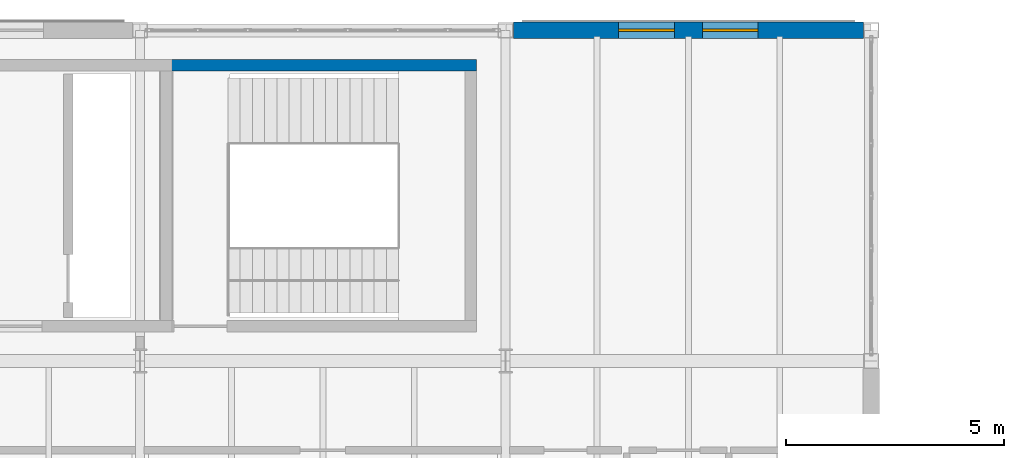
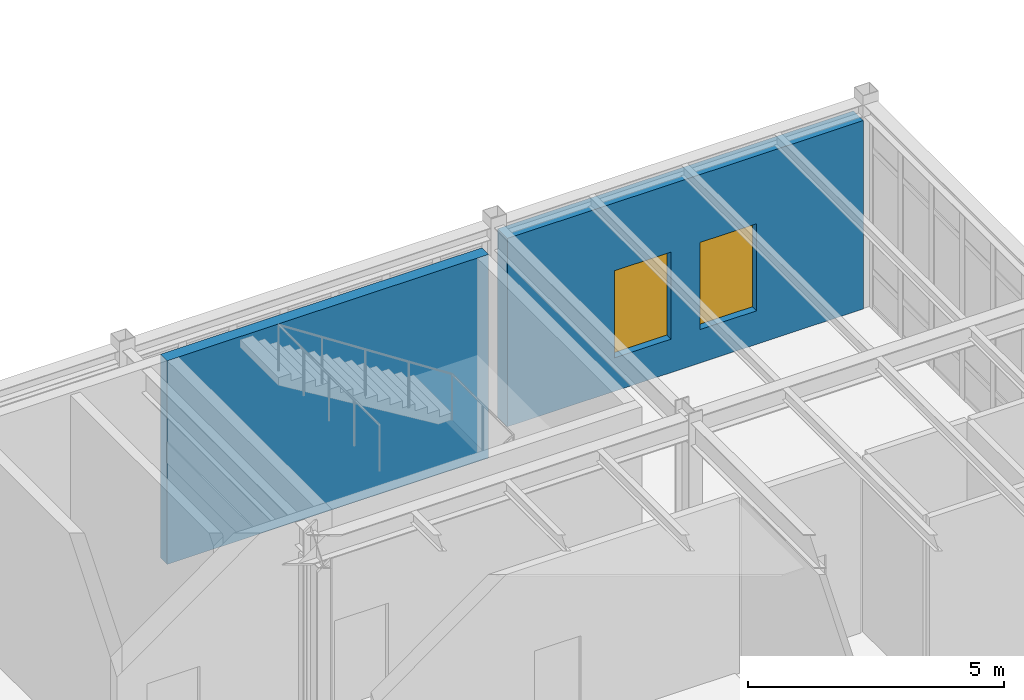
# One storey, part 90 of 109: 2 walls, 2 windows, 2 openings.
"""IFC4 building model written with IfcOpenShell, lengths in metres."""

from ifc_helpers import new_model, si_unit, direction, frame, frame_2d, origin, place, context, subcontext, project, spatial, rectangle, extrude, material, layer, layer_set, type_object, element, fill, save


model = new_model("IFC4")

# Units and contexts
model_context = context("Model", 3, precision=1e-05, world=origin(), true_north=direction((0.0, 1.0)))
body_context = subcontext(model_context, "Body", "Model", "MODEL_VIEW")
ifc_project = project(units=[si_unit("LENGTHUNIT", "METRE"), si_unit("AREAUNIT", "SQUARE_METRE"), si_unit("VOLUMEUNIT", "CUBIC_METRE"), si_unit("PLANEANGLEUNIT", "RADIAN"), si_unit("MASSUNIT", "GRAM", prefix="KILO")], contexts=[model_context])

# Site, building, storey
site_placement = place(None, origin())
site = spatial("IfcSite", under=ifc_project, at=site_placement, CompositionType="ELEMENT")
building_placement = place(site_placement, origin())
building = spatial("IfcBuilding", under=site, at=building_placement, Name="Montecoro Central Library", CompositionType="ELEMENT")
storey_placement = place(building_placement, origin())
storey = spatial("IfcBuildingStorey", under=building, at=storey_placement, Name="L00", CompositionType="ELEMENT", Elevation=0.0)

# Wall, openings, windows
ifc_material_1 = material(Name="Dark piperno stone clad concrete C35/45", Category="masonry")
ifc_layer_1 = layer(ifc_material_1, 0.385009765625)
ifc_layer_set_1 = layer_set([ifc_layer_1], Name="Dark piperno stone clad concrete C35/45")
wall_type_1 = type_object("IfcWallType", Name="EW-PIP-385", PredefinedType="SOLIDWALL", material=ifc_layer_set_1)
wall_1_placement = place(storey_placement, frame((116.6220703125, 119.0, 0.0), z_axis=(0.0, 0.0, 1.0), x_axis=(-1.0, 0.0, 0.0)))
wall_1 = element("IfcWall", 1, at=wall_1_placement, inside=storey, type_object=wall_type_1, Name="V2-L00-EW-N5", PredefinedType="SOLIDWALL", context=body_context, shape_type="SweptSolid", body=[
    extrude(rectangle(XDim=8.044189453125, YDim=0.385009765625, at=frame_2d((4.02197265625, 0.0))), origin(), (0.0, 0.0, 1.0), 4.5),
])
opening_1_placement = place(wall_1_placement, frame((2.4169921875, 0.0, 0.800048828125)))
opening_1 = element("IfcOpeningElement", 2, at=opening_1_placement, cuts=wall_1, Name="Opening WN-23", PredefinedType="OPENING", context=body_context, shape_type="SweptSolid", body=[
    extrude(rectangle(XDim=1.280029296875, YDim=2.080078125, at=frame_2d((0.64013671875, 1.0400390625))), frame((0.0, 0.202392578125, 0.0), z_axis=(0.0, -1.0, 0.0), x_axis=(1.0, 0.0, 0.0)), (0.0, 0.0, 1.0), 0.405029296875),
])
opening_2_placement = place(wall_1_placement, frame((4.346923828125, 0.0, 0.800048828125)))
opening_2 = element("IfcOpeningElement", 3, at=opening_2_placement, cuts=wall_1, Name="Opening WN-23", PredefinedType="OPENING", context=body_context, shape_type="SweptSolid", body=[
    extrude(rectangle(XDim=1.280029296875, YDim=2.080078125, at=frame_2d((0.64013671875, 1.0400390625))), frame((0.0, 0.202392578125, 0.0), z_axis=(0.0, -1.0, 0.0), x_axis=(1.0, 0.0, 0.0)), (0.0, 0.0, 1.0), 0.405029296875),
])
ifc_material_2 = material(Name="Laminated low-E double glazing", Category="glass")
window_type = type_object("IfcWindowType", Name="WN-RDG-128", PartitioningType="SINGLE_PANEL", PredefinedType="WINDOW", material=ifc_material_2)
window_1_placement = place(opening_1_placement, origin())
window_1 = element("IfcWindow", 4, at=window_1_placement, inside=storey, type_object=window_type, Name="V2-L00-WN-N5-1", OverallHeight=2.080078125, OverallWidth=1.280029296875, PartitioningType="SINGLE_PANEL", PredefinedType="WINDOW", context=body_context, shape_type="SweptSolid", body=[
    extrude(rectangle(XDim=1.280029296875, YDim=2.080078125, at=frame_2d((0.64013671875, 1.0400390625))), frame((0.0, 0.030029296875, 0.0), z_axis=(0.0, -1.0, 0.0), x_axis=(1.0, 0.0, 0.0)), (0.0, 0.0, 1.0), 0.06005859375),
])
fill(opening_1, window_1)
window_2_placement = place(opening_2_placement, origin())
window_2 = element("IfcWindow", 5, at=window_2_placement, inside=storey, type_object=window_type, Name="V2-L00-WN-N5-2", OverallHeight=2.080078125, OverallWidth=1.280029296875, PartitioningType="SINGLE_PANEL", PredefinedType="WINDOW", context=body_context, shape_type="SweptSolid", body=[
    extrude(rectangle(XDim=1.280029296875, YDim=2.080078125, at=frame_2d((0.64013671875, 1.0400390625))), frame((0.0, 0.030029296875, 0.0), z_axis=(0.0, -1.0, 0.0), x_axis=(1.0, 0.0, 0.0)), (0.0, 0.0, 1.0), 0.06005859375),
])
fill(opening_2, window_2)

# Wall
ifc_material_3 = material(Name="Concrete C35/45", Category="concrete")
ifc_layer_2 = layer(ifc_material_3, 0.260009765625)
ifc_layer_set_2 = layer_set([ifc_layer_2], Name="Concrete C35/45")
wall_type_2 = type_object("IfcWallType", Name="IW-SHR-260", PredefinedType="SHEAR", material=ifc_layer_set_2)
wall_2_placement = place(storey_placement, frame((100.469970703125, 118.199951171875, 0.0), z_axis=(0.0, 0.0, 1.0), x_axis=(1.0, 0.0, 0.0)))
element("IfcWall", 6, at=wall_2_placement, inside=storey, type_object=wall_type_2, Name="C3-L00-WN", PredefinedType="SHEAR", context=body_context, shape_type="SweptSolid", body=[
    extrude(rectangle(XDim=7.260009765625, YDim=0.260009765625, at=frame_2d((3.6298828125, 0.0))), origin(), (0.0, 0.0, 1.0), 4.864990234375),
])

save(model, "model.ifc")
